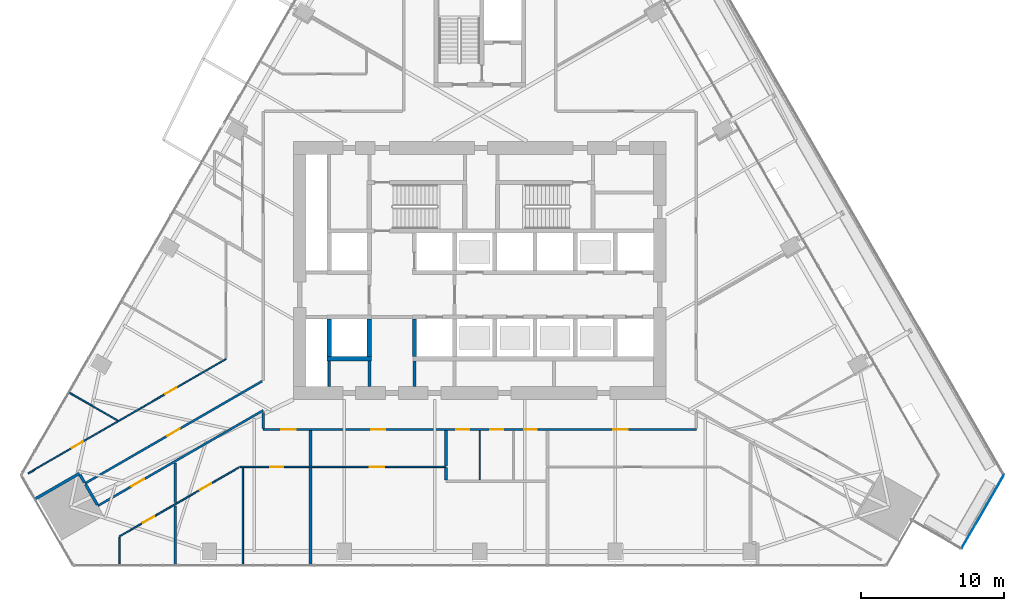
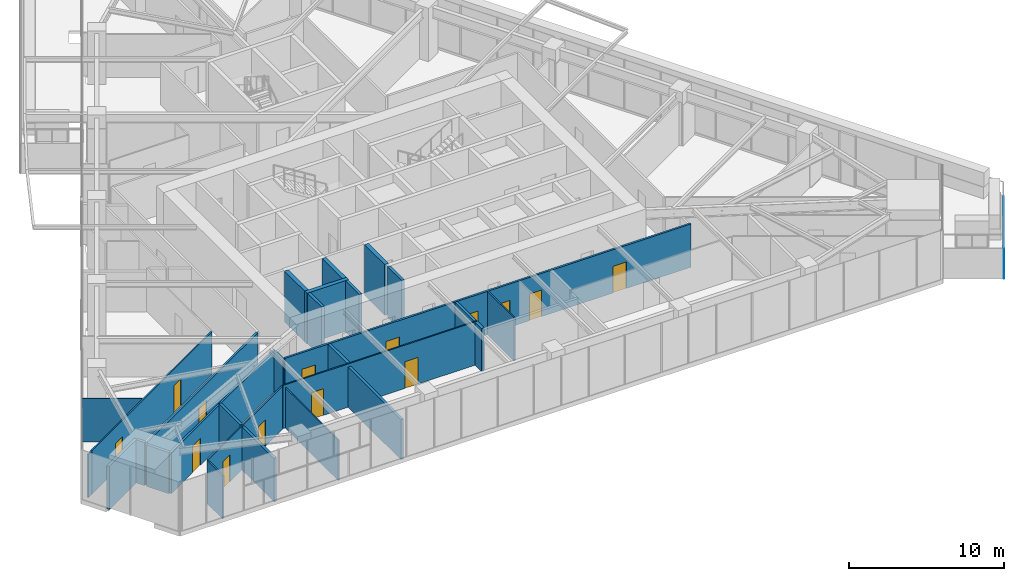
# One storey, part 20 of 29: 28 walls, 14 doors, 1 plate, 14 openings.
"""IFC4 building model written with IfcOpenShell, lengths in metres."""

from ifc_helpers import new_model, si_unit, direction, frame, frame_2d, origin, place, context, subcontext, project, spatial, polyline, rectangle, outline, extrude, material, layer, layer_set, type_object, element, fill, save


model = new_model("IFC4")

# Units and contexts
model_context = context("Model", 3, precision=1e-05, world=origin(), true_north=direction((0.0, 1.0)))
body_context = subcontext(model_context, "Body", "Model", "MODEL_VIEW")
ifc_project = project(units=[si_unit("LENGTHUNIT", "METRE"), si_unit("AREAUNIT", "SQUARE_METRE"), si_unit("VOLUMEUNIT", "CUBIC_METRE"), si_unit("PLANEANGLEUNIT", "RADIAN"), si_unit("MASSUNIT", "GRAM", prefix="KILO")], contexts=[model_context])

# Site, building, storey
site_placement = place(None, origin())
site = spatial("IfcSite", under=ifc_project, at=site_placement, CompositionType="ELEMENT")
building_placement = place(site_placement, origin())
building = spatial("IfcBuilding", under=site, at=building_placement, Name="Firuza Gate Tower and Library", CompositionType="ELEMENT")
storey_placement = place(building_placement, frame((0.0, 0.0, 82.0)))
storey = spatial("IfcBuildingStorey", under=building, at=storey_placement, Name="L18", CompositionType="ELEMENT", Elevation=82.0)

# Plate
ifc_material_1 = material(Name="Aluminium 6063-T6", Category="aluminium")
ifc_layer_1 = layer(ifc_material_1, 0.050048828125)
ifc_layer_set_1 = layer_set([ifc_layer_1], Name="Tray fascia panel 50")
plate_type = type_object("IfcPlateType", Name="Tray fascia panel 50", PredefinedType="SHEET", material=ifc_layer_set_1)
plate_placement = place(storey_placement, frame((108.631103515625, 55.617919921875, -2.39990234375), z_axis=(0.86603616409, -0.499981362141, 0.0), x_axis=(0.499981362141, 0.86603616409, 0.0)))
element("IfcPlate", 1, at=plate_placement, inside=storey, type_object=plate_type, Name="Tray fascia L18 1", PredefinedType="SHEET", context=body_context, shape_type="SweptSolid", body=[
    extrude(outline(polyline([(0.0, 0.0), (5.849827431513592, 0.0), (5.849827431513592, 2.39990234375), (0.0, 2.39990234375), (0.0, 0.0)])), origin(), (0.0, 0.0, -1.0), 0.050048828125),
])

# Walls
ifc_material_2 = material(Name="Plasterboard on steel studs", Category="steel")
ifc_layer_2 = layer(ifc_material_2, 0.199951171875)
ifc_layer_set_2 = layer_set([ifc_layer_2], Name="Core partition 200 EI 120")
wall_type_1 = type_object("IfcWallType", Name="Core partition 200 EI 120", PredefinedType="PARTITIONING", material=ifc_layer_set_2)
for number, where, z_axis, x_axis, name in (
    (2, (64.5, 66.89990234375, 0.0), (0.0, 0.0, 1.0), (0.0, 1.0, 0.0), "Core partition L18 5"),
    (3, (67.300048828125, 66.89990234375, 0.0), (0.0, 0.0, 1.0), (0.0, 1.0, 0.0), "Core partition L18 7"),
    (4, (70.449951171875, 66.89990234375, 0.0), (0.0, 0.0, 1.0), (0.0, 1.0, 0.0), "Core partition L18 10"),
):
    element("IfcWall", number, at=place(storey_placement, frame(where, z_axis=z_axis, x_axis=x_axis)), inside=storey, type_object=wall_type_1, Name=name, PredefinedType="PARTITIONING", context=body_context, shape_type="SweptSolid", body=[
        extrude(rectangle(XDim=1.800048828125, YDim=0.199951171875, at=frame_2d((0.89990234375, 0.0))), origin(), (0.0, 0.0, 1.0), 4.0),
    ])
ifc_material_3 = material(Name="Concrete C80/95", Category="concrete")
ifc_layer_3 = layer(ifc_material_3, 0.300048828125)
ifc_layer_set_3 = layer_set([ifc_layer_3], Name="Core wall 300 C80/95")
wall_type_2 = type_object("IfcWallType", Name="Core wall 300 C80/95", PredefinedType="SHEAR", material=ifc_layer_set_3)
wall_1_placement = place(storey_placement, frame((64.35009765625, 68.85009765625, 0.0), z_axis=(0.0, 0.0, 1.0), x_axis=(1.0, 0.0, 0.0)))
element("IfcWall", 5, at=wall_1_placement, inside=storey, type_object=wall_type_2, Name="Core wall L18 5", PredefinedType="SHEAR", context=body_context, shape_type="SweptSolid", body=[
    extrude(rectangle(XDim=3.099853515625, YDim=0.300048828125, at=frame_2d((1.5498046875, 0.0))), origin(), (0.0, 0.0, 1.0), 4.0),
])
for number, where, z_axis, x_axis, name in (
    (6, (64.5, 69.0, 0.0), (0.0, 0.0, 1.0), (0.0, 1.0, 0.0), "Core wall L18 11"),
    (7, (67.300048828125, 69.0, 0.0), (0.0, 0.0, 1.0), (0.0, 1.0, 0.0), "Core wall L18 13"),
    (8, (70.449951171875, 69.0, 0.0), (0.0, 0.0, 1.0), (0.0, 1.0, 0.0), "Core wall L18 15"),
):
    element("IfcWall", number, at=place(storey_placement, frame(where, z_axis=z_axis, x_axis=x_axis)), inside=storey, type_object=wall_type_2, Name=name, PredefinedType="SHEAR", context=body_context, shape_type="SweptSolid", body=[
        extrude(rectangle(XDim=2.60009765625, YDim=0.300048828125, at=frame_2d((1.300048828125, 0.0))), origin(), (0.0, 0.0, 1.0), 4.0),
    ])

# Wall, openings, doors
ifc_material_4 = material(Name="Gypsum board partition")
ifc_layer_4 = layer(ifc_material_4, 0.14990234375)
ifc_layer_set_4 = layer_set([ifc_layer_4], Name="Corridor wall 150 double board on steel studs")
wall_type_3 = type_object("IfcWallType", Name="Corridor wall 150 double board on steel studs", PredefinedType="PARTITIONING", material=ifc_layer_set_4)
wall_2_placement = place(storey_placement, frame((90.10009765625, 63.89990234375, 0.0), z_axis=(0.0, 0.0, 1.0), x_axis=(-1.0, 0.0, 0.0)))
wall_2 = element("IfcWall", 9, at=wall_2_placement, inside=storey, type_object=wall_type_3, Name="f:L18:w004", PredefinedType="PARTITIONING", context=body_context, shape_type="SweptSolid", body=[
    extrude(rectangle(XDim=30.2001953125, YDim=0.14990234375, at=frame_2d((15.10009765625, 0.0))), origin(), (0.0, 0.0, 1.0), 3.39990234375),
])
opening_1_placement = place(wall_2_placement, frame((4.79248046875, 0.0, 0.0)))
opening_1 = element("IfcOpeningElement", 10, at=opening_1_placement, cuts=wall_2, Name="Opening L18-04", PredefinedType="OPENING", context=body_context, shape_type="SweptSolid", body=[
    extrude(rectangle(XDim=1.0, YDim=2.10009765625, at=frame_2d((0.5, 1.050048828125))), frame((0.0, 0.0849609375, 0.0), z_axis=(0.0, -1.0, 0.0), x_axis=(1.0, 0.0, 0.0)), (0.0, 0.0, 1.0), 0.169921875),
])
opening_2_placement = place(wall_2_placement, frame((11.111328125, 0.0, 0.0)))
opening_2 = element("IfcOpeningElement", 11, at=opening_2_placement, cuts=wall_2, Name="Opening L18-05", PredefinedType="OPENING", context=body_context, shape_type="SweptSolid", body=[
    extrude(rectangle(XDim=0.89990234375, YDim=2.10009765625, at=frame_2d((0.449951171875, 1.050048828125))), frame((0.0, 0.0849609375, 0.0), z_axis=(0.0, -1.0, 0.0), x_axis=(1.0, 0.0, 0.0)), (0.0, 0.0, 1.0), 0.169921875),
])
opening_3_placement = place(wall_2_placement, frame((13.470458984375, 0.0, 0.0)))
opening_3 = element("IfcOpeningElement", 12, at=opening_3_placement, cuts=wall_2, Name="Opening L18-06", PredefinedType="OPENING", context=body_context, shape_type="SweptSolid", body=[
    extrude(rectangle(XDim=0.89990234375, YDim=2.10009765625, at=frame_2d((0.449951171875, 1.050048828125))), frame((0.0, 0.0849609375, 0.0), z_axis=(0.0, -1.0, 0.0), x_axis=(1.0, 0.0, 0.0)), (0.0, 0.0, 1.0), 0.169921875),
])
opening_4_placement = place(wall_2_placement, frame((15.82958984375, 0.0, 0.0)))
opening_4 = element("IfcOpeningElement", 13, at=opening_4_placement, cuts=wall_2, Name="Opening L18-07", PredefinedType="OPENING", context=body_context, shape_type="SweptSolid", body=[
    extrude(rectangle(XDim=0.89990234375, YDim=2.10009765625, at=frame_2d((0.449951171875, 1.050048828125))), frame((0.0, 0.0849609375, 0.0), z_axis=(0.0, -1.0, 0.0), x_axis=(1.0, 0.0, 0.0)), (0.0, 0.0, 1.0), 0.169921875),
])
opening_5_placement = place(wall_2_placement, frame((21.677001953125, 0.0, 0.0)))
opening_5 = element("IfcOpeningElement", 14, at=opening_5_placement, cuts=wall_2, Name="Opening L18-08", PredefinedType="OPENING", context=body_context, shape_type="SweptSolid", body=[
    extrude(rectangle(XDim=1.0, YDim=2.10009765625, at=frame_2d((0.5, 1.050048828125))), frame((0.0, 0.0849609375, 0.0), z_axis=(0.0, -1.0, 0.0), x_axis=(1.0, 0.0, 0.0)), (0.0, 0.0, 1.0), 0.169921875),
])
opening_6_placement = place(wall_2_placement, frame((27.946044921875, 0.0, 0.0)))
opening_6 = element("IfcOpeningElement", 15, at=opening_6_placement, cuts=wall_2, Name="Opening L18-09", PredefinedType="OPENING", context=body_context, shape_type="SweptSolid", body=[
    extrude(rectangle(XDim=1.0, YDim=2.10009765625, at=frame_2d((0.5, 1.050048828125))), frame((0.0, 0.0849609375, 0.0), z_axis=(0.0, -1.0, 0.0), x_axis=(1.0, 0.0, 0.0)), (0.0, 0.0, 1.0), 0.169921875),
])
ifc_material_5 = material(Name="Steel door and timber leaf", Category="steel")
door_type_1 = type_object("IfcDoorType", Name="Fire door 1000 x 2100 steel frame, timber leaf", OperationType="NOTDEFINED", PredefinedType="DOOR", material=ifc_material_5)
door_1_placement = place(opening_1_placement, origin())
door_1 = element("IfcDoor", 16, at=door_1_placement, inside=storey, type_object=door_type_1, Name="f:L18:d004", OperationType="SINGLE_SWING_LEFT", OverallHeight=2.10009765625, OverallWidth=1.0, PredefinedType="DOOR", context=body_context, shape_type="SweptSolid", body=[
    extrude(rectangle(XDim=1.0, YDim=2.10009765625, at=frame_2d((0.5, 1.050048828125))), frame((0.0, 0.02490234375, 0.0), z_axis=(0.0, -1.0, 0.0), x_axis=(1.0, 0.0, 0.0)), (0.0, 0.0, 1.0), 0.050048828125),
])
fill(opening_1, door_1)
door_2_placement = place(opening_5_placement, origin())
door_2 = element("IfcDoor", 17, at=door_2_placement, inside=storey, type_object=door_type_1, Name="f:L18:d008", OperationType="SINGLE_SWING_RIGHT", OverallHeight=2.10009765625, OverallWidth=1.0, PredefinedType="DOOR", context=body_context, shape_type="SweptSolid", body=[
    extrude(rectangle(XDim=1.0, YDim=2.10009765625, at=frame_2d((0.5, 1.050048828125))), frame((0.0, 0.02490234375, 0.0), z_axis=(0.0, -1.0, 0.0), x_axis=(1.0, 0.0, 0.0)), (0.0, 0.0, 1.0), 0.050048828125),
])
fill(opening_5, door_2)
door_3_placement = place(opening_6_placement, origin())
door_3 = element("IfcDoor", 18, at=door_3_placement, inside=storey, type_object=door_type_1, Name="f:L18:d009", OperationType="SINGLE_SWING_RIGHT", OverallHeight=2.10009765625, OverallWidth=1.0, PredefinedType="DOOR", context=body_context, shape_type="SweptSolid", body=[
    extrude(rectangle(XDim=1.0, YDim=2.10009765625, at=frame_2d((0.5, 1.050048828125))), frame((0.0, 0.02490234375, 0.0), z_axis=(0.0, -1.0, 0.0), x_axis=(1.0, 0.0, 0.0)), (0.0, 0.0, 1.0), 0.050048828125),
])
fill(opening_6, door_3)
ifc_material_6 = material(Name="Steel door and timber leaf", Category="steel")
door_type_2 = type_object("IfcDoorType", Name="Fire door 900 x 2100 steel frame, timber leaf", OperationType="NOTDEFINED", PredefinedType="DOOR", material=ifc_material_6)
door_4_placement = place(opening_2_placement, origin())
door_4 = element("IfcDoor", 19, at=door_4_placement, inside=storey, type_object=door_type_2, Name="f:L18:d005", OperationType="SINGLE_SWING_LEFT", OverallHeight=2.10009765625, OverallWidth=0.89990234375, PredefinedType="DOOR", context=body_context, shape_type="SweptSolid", body=[
    extrude(rectangle(XDim=0.89990234375, YDim=2.10009765625, at=frame_2d((0.449951171875, 1.050048828125))), frame((0.0, 0.02490234375, 0.0), z_axis=(0.0, -1.0, 0.0), x_axis=(1.0, 0.0, 0.0)), (0.0, 0.0, 1.0), 0.050048828125),
])
fill(opening_2, door_4)
door_5_placement = place(opening_3_placement, origin())
door_5 = element("IfcDoor", 20, at=door_5_placement, inside=storey, type_object=door_type_2, Name="f:L18:d006", OperationType="SINGLE_SWING_RIGHT", OverallHeight=2.10009765625, OverallWidth=0.89990234375, PredefinedType="DOOR", context=body_context, shape_type="SweptSolid", body=[
    extrude(rectangle(XDim=0.89990234375, YDim=2.10009765625, at=frame_2d((0.449951171875, 1.050048828125))), frame((0.0, 0.02490234375, 0.0), z_axis=(0.0, -1.0, 0.0), x_axis=(1.0, 0.0, 0.0)), (0.0, 0.0, 1.0), 0.050048828125),
])
fill(opening_3, door_5)
door_6_placement = place(opening_4_placement, origin())
door_6 = element("IfcDoor", 21, at=door_6_placement, inside=storey, type_object=door_type_2, Name="f:L18:d007", OperationType="SINGLE_SWING_LEFT", OverallHeight=2.10009765625, OverallWidth=0.89990234375, PredefinedType="DOOR", context=body_context, shape_type="SweptSolid", body=[
    extrude(rectangle(XDim=0.89990234375, YDim=2.10009765625, at=frame_2d((0.449951171875, 1.050048828125))), frame((0.0, 0.02490234375, 0.0), z_axis=(0.0, -1.0, 0.0), x_axis=(1.0, 0.0, 0.0)), (0.0, 0.0, 1.0), 0.050048828125),
])
fill(opening_4, door_6)

# Wall, opening, door
wall_3_placement = place(storey_placement, frame((59.89990234375, 65.242919921875, 0.0), z_axis=(0.0, 0.0, 1.0), x_axis=(-0.866025527764, -0.499999785261, 0.0)))
wall_3 = element("IfcWall", 22, at=wall_3_placement, inside=storey, type_object=wall_type_3, Name="f:L18:w016", PredefinedType="PARTITIONING", context=body_context, shape_type="SweptSolid", body=[
    extrude(rectangle(XDim=13.31005859375, YDim=0.14990234375, at=frame_2d((6.655029296875, 0.0))), origin(), (0.0, 0.0, 1.0), 3.2470703125),
])
opening_7_placement = place(wall_3_placement, frame((9.593505859375, 0.0, 0.0)))
opening_7 = element("IfcOpeningElement", 23, at=opening_7_placement, cuts=wall_3, Name="Opening L18-17", PredefinedType="OPENING", context=body_context, shape_type="SweptSolid", body=[
    extrude(rectangle(XDim=1.0, YDim=2.10009765625, at=frame_2d((0.5, 1.050048828125))), frame((0.0, 0.0849609375, 0.0), z_axis=(0.0, -1.0, 0.0), x_axis=(1.0, 0.0, 0.0)), (0.0, 0.0, 1.0), 0.169921875),
])
door_7_placement = place(opening_7_placement, origin())
door_7 = element("IfcDoor", 24, at=door_7_placement, inside=storey, type_object=door_type_1, Name="f:L18:d017", OperationType="SINGLE_SWING_RIGHT", OverallHeight=2.10009765625, OverallWidth=1.0, PredefinedType="DOOR", context=body_context, shape_type="SweptSolid", body=[
    extrude(rectangle(XDim=1.0, YDim=2.10009765625, at=frame_2d((0.5, 1.050048828125))), frame((0.0, 0.02490234375, 0.0), z_axis=(0.0, -1.0, 0.0), x_axis=(1.0, 0.0, 0.0)), (0.0, 0.0, 1.0), 0.050048828125),
])
fill(opening_7, door_7)

wall_4_placement = place(storey_placement, frame((47.47265625, 60.146484375, 0.0), z_axis=(0.0, 0.0, 1.0), x_axis=(0.866025677055, 0.499999526681, 0.0)))
wall_4 = element("IfcWall", 25, at=wall_4_placement, inside=storey, type_object=wall_type_3, Name="f:L18:w019", PredefinedType="PARTITIONING", context=body_context, shape_type="SweptSolid", body=[
    extrude(rectangle(XDim=14.26318359375, YDim=0.14990234375, at=frame_2d((7.131591796875, 0.0))), origin(), (0.0, 0.0, 1.0), 3.39990234375),
])
opening_8_placement = place(wall_4_placement, frame((6.631591796875, 0.0, 0.0)))
opening_8 = element("IfcOpeningElement", 26, at=opening_8_placement, cuts=wall_4, Name="Opening L18-18", PredefinedType="OPENING", context=body_context, shape_type="SweptSolid", body=[
    extrude(rectangle(XDim=1.0, YDim=2.10009765625, at=frame_2d((0.5, 1.050048828125))), frame((0.0, 0.0849609375, 0.0), z_axis=(0.0, -1.0, 0.0), x_axis=(1.0, 0.0, 0.0)), (0.0, 0.0, 1.0), 0.169921875),
])
door_8_placement = place(opening_8_placement, origin())
door_8 = element("IfcDoor", 27, at=door_8_placement, inside=storey, type_object=door_type_1, Name="f:L18:d018", OperationType="SINGLE_SWING_LEFT", OverallHeight=2.10009765625, OverallWidth=1.0, PredefinedType="DOOR", context=body_context, shape_type="SweptSolid", body=[
    extrude(rectangle(XDim=1.0, YDim=2.10009765625, at=frame_2d((0.5, 1.050048828125))), frame((0.0, 0.02490234375, 0.0), z_axis=(0.0, -1.0, 0.0), x_axis=(1.0, 0.0, 0.0)), (0.0, 0.0, 1.0), 0.050048828125),
])
fill(opening_8, door_8)

# Walls
wall_5_placement = place(storey_placement, frame((59.89990234375, 63.97509765625, 0.0), z_axis=(0.0, 0.0, 1.0), x_axis=(0.0, 1.0, 0.0)))
element("IfcWall", 28, at=wall_5_placement, inside=storey, type_object=wall_type_3, Name="f:L18:w046", PredefinedType="PARTITIONING", context=body_context, shape_type="SweptSolid", body=[
    extrude(rectangle(XDim=1.131103515625, YDim=0.14990234375, at=frame_2d((0.5654296875, 0.0))), origin(), (0.0, 0.0, 1.0), 3.2470703125),
])
ifc_material_7 = material(Name="Gypsum board partition")
ifc_layer_5 = layer(ifc_material_7, 0.199951171875)
ifc_layer_set_5 = layer_set([ifc_layer_5], Name="Demising wall 200 acoustic double stud")
wall_type_4 = type_object("IfcWallType", Name="Demising wall 200 acoustic double stud", PredefinedType="PARTITIONING", material=ifc_layer_set_5)
wall_6_placement = place(storey_placement, frame((43.989990234375, 59.058349609375, 0.0), z_axis=(0.0, 0.0, 1.0), x_axis=(0.866031398331, 0.499989616998, 0.0)))
element("IfcWall", 29, at=wall_6_placement, inside=storey, type_object=wall_type_4, Name="f:L18:w020", PredefinedType="PARTITIONING", context=body_context, shape_type="SweptSolid", body=[
    extrude(rectangle(XDim=3.5595703125, YDim=0.199951171875, at=frame_2d((1.77978515625, 0.0))), origin(), (0.0, 0.0, 1.0), 3.39990234375),
])
wall_7_placement = place(storey_placement, frame((72.64111328125, 60.39990234375, 0.0), z_axis=(0.0, 0.0, 1.0), x_axis=(0.0, 1.0, 0.0)))
element("IfcWall", 30, at=wall_7_placement, inside=storey, type_object=wall_type_4, Name="f:L18:w042", PredefinedType="PARTITIONING", context=body_context, shape_type="SweptSolid", body=[
    extrude(rectangle(XDim=0.85009765625, YDim=0.199951171875, at=frame_2d((0.425048828125, 0.0))), origin(), (0.0, 0.0, 1.0), 3.39990234375),
])
wall_8_placement = place(storey_placement, frame((63.205078125, 54.439208984375, 0.0), z_axis=(0.0, 0.0, 1.0), x_axis=(0.0, 1.0, 0.0)))
element("IfcWall", 31, at=wall_8_placement, inside=storey, type_object=wall_type_4, Name="f:L18:w045", PredefinedType="PARTITIONING", context=body_context, shape_type="SweptSolid", body=[
    extrude(rectangle(XDim=6.810791015625, YDim=0.199951171875, at=frame_2d((3.4052734375, 0.0))), origin(), (0.0, 0.0, 1.0), 3.1650390625),
])
wall_9_placement = place(storey_placement, frame((53.76904296875, 54.439208984375, 0.0), z_axis=(0.0, 0.0, 1.0), x_axis=(0.0, 1.0, 0.0)))
element("IfcWall", 32, at=wall_9_placement, inside=storey, type_object=wall_type_4, Name="f:L18:w052", PredefinedType="PARTITIONING", context=body_context, shape_type="SweptSolid", body=[
    extrude(rectangle(XDim=4.146240234375, YDim=0.199951171875, at=frame_2d((2.0732421875, 0.0))), origin(), (0.0, 0.0, 1.0), 3.39990234375),
])
wall_10_placement = place(storey_placement, frame((48.335205078125, 58.653076171875, 0.0), z_axis=(0.0, 0.0, 1.0), x_axis=(-0.499991515992, 0.866030301974, 0.0)))
element("IfcWall", 33, at=wall_10_placement, inside=storey, type_object=wall_type_4, Name="f:L18:w057", PredefinedType="PARTITIONING", context=body_context, shape_type="SweptSolid", body=[
    extrude(rectangle(XDim=1.6494140625, YDim=0.199951171875, at=frame_2d((0.82470703125, 0.0))), origin(), (0.0, 0.0, 1.0), 3.2470703125),
])
wall_11_placement = place(storey_placement, frame((72.64111328125, 61.35009765625, 0.0), z_axis=(0.0, 0.0, 1.0), x_axis=(0.0, 1.0, 0.0)))
element("IfcWall", 34, at=wall_11_placement, inside=storey, type_object=wall_type_4, Name="f:L18:w075", PredefinedType="PARTITIONING", context=body_context, shape_type="SweptSolid", body=[
    extrude(rectangle(XDim=2.474853515625, YDim=0.199951171875, at=frame_2d((1.2373046875, 0.0))), origin(), (0.0, 0.0, 1.0), 3.39990234375),
])
wall_12_placement = place(storey_placement, frame((53.76904296875, 58.81640625, 0.0), z_axis=(0.0, 0.0, 1.0), x_axis=(0.0, 1.0, 0.0)))
element("IfcWall", 35, at=wall_12_placement, inside=storey, type_object=wall_type_4, Name="f:L18:w078", PredefinedType="PARTITIONING", context=body_context, shape_type="SweptSolid", body=[
    extrude(rectangle(XDim=2.73974609375, YDim=0.199951171875, at=frame_2d((1.369873046875, 0.0))), origin(), (0.0, 0.0, 1.0), 3.39990234375),
])
wall_13_placement = place(storey_placement, frame((47.435302734375, 60.21142578125, 0.0), z_axis=(0.0, 0.0, 1.0), x_axis=(-0.499801510763, 0.866139971275, 0.0)))
element("IfcWall", 36, at=wall_13_placement, inside=storey, type_object=wall_type_4, Name="f:L18:w079", PredefinedType="PARTITIONING", context=body_context, shape_type="SweptSolid", body=[
    extrude(rectangle(XDim=0.623779296875, YDim=0.199951171875, at=frame_2d((0.31201171875, 0.0))), origin(), (0.0, 0.0, 1.0), 3.39990234375),
])
wall_14_placement = place(storey_placement, frame((63.205078125, 61.35009765625, 0.0), z_axis=(0.0, 0.0, 1.0), x_axis=(0.0, 1.0, 0.0)))
element("IfcWall", 37, at=wall_14_placement, inside=storey, type_object=wall_type_4, Name="f:L18:w084", PredefinedType="PARTITIONING", context=body_context, shape_type="SweptSolid", body=[
    extrude(rectangle(XDim=2.474853515625, YDim=0.199951171875, at=frame_2d((1.2373046875, 0.0))), origin(), (0.0, 0.0, 1.0), 3.39990234375),
])

# Wall, openings, doors
ifc_material_8 = material(Name="Gypsum board partition")
ifc_layer_6 = layer(ifc_material_8, 0.10009765625)
ifc_layer_set_6 = layer_set([ifc_layer_6], Name="Partition 100 gypsum board on steel studs")
wall_type_5 = type_object("IfcWallType", Name="Partition 100 gypsum board on steel studs", PredefinedType="PARTITIONING", material=ifc_layer_set_6)
wall_15_placement = place(storey_placement, frame((58.27099609375, 61.300048828125, 0.0), z_axis=(0.0, 0.0, 1.0), x_axis=(1.0, 0.0, 0.0)))
wall_15 = element("IfcWall", 38, at=wall_15_placement, inside=storey, type_object=wall_type_5, Name="f:L18:w002", PredefinedType="PARTITIONING", context=body_context, shape_type="SweptSolid", body=[
    extrude(rectangle(XDim=14.369873046875, YDim=0.10009765625, at=frame_2d((7.18505859375, 0.0))), origin(), (0.0, 0.0, 1.0), 3.39990234375),
])
opening_9_placement = place(wall_15_placement, frame((2.123291015625, 0.0, 0.0)))
opening_9 = element("IfcOpeningElement", 39, at=opening_9_placement, cuts=wall_15, Name="Opening L18-01", PredefinedType="OPENING", context=body_context, shape_type="SweptSolid", body=[
    extrude(rectangle(XDim=0.89990234375, YDim=2.10009765625, at=frame_2d((0.449951171875, 1.050048828125))), frame((0.0, 0.06005859375, 0.0), z_axis=(0.0, -1.0, 0.0), x_axis=(1.0, 0.0, 0.0)), (0.0, 0.0, 1.0), 0.1201171875),
])
opening_10_placement = place(wall_15_placement, frame((9.052001953125, 0.0, 0.0)))
opening_10 = element("IfcOpeningElement", 40, at=opening_10_placement, cuts=wall_15, Name="Opening L18-02", PredefinedType="OPENING", context=body_context, shape_type="SweptSolid", body=[
    extrude(rectangle(XDim=1.0, YDim=2.10009765625, at=frame_2d((0.5, 1.050048828125))), frame((0.0, 0.06005859375, 0.0), z_axis=(0.0, -1.0, 0.0), x_axis=(1.0, 0.0, 0.0)), (0.0, 0.0, 1.0), 0.1201171875),
])
ifc_material_9 = material(Name="Timber door", Category="wood")
door_type_3 = type_object("IfcDoorType", Name="Door 1000 x 2100 timber leaf", OperationType="NOTDEFINED", PredefinedType="DOOR", material=ifc_material_9)
door_9_placement = place(opening_10_placement, origin())
door_9 = element("IfcDoor", 41, at=door_9_placement, inside=storey, type_object=door_type_3, Name="f:L18:d002", OperationType="SINGLE_SWING_RIGHT", OverallHeight=2.10009765625, OverallWidth=1.0, PredefinedType="DOOR", context=body_context, shape_type="SweptSolid", body=[
    extrude(rectangle(XDim=1.0, YDim=2.10009765625, at=frame_2d((0.5, 1.050048828125))), frame((0.0, 0.02490234375, 0.0), z_axis=(0.0, -1.0, 0.0), x_axis=(1.0, 0.0, 0.0)), (0.0, 0.0, 1.0), 0.050048828125),
])
fill(opening_10, door_9)
ifc_material_10 = material(Name="Timber door", Category="wood")
door_type_4 = type_object("IfcDoorType", Name="Door 900 x 2100 timber leaf", OperationType="NOTDEFINED", PredefinedType="DOOR", material=ifc_material_10)
door_10_placement = place(opening_9_placement, origin())
door_10 = element("IfcDoor", 42, at=door_10_placement, inside=storey, type_object=door_type_4, Name="f:L18:d001", OperationType="SINGLE_SWING_LEFT", OverallHeight=2.10009765625, OverallWidth=0.89990234375, PredefinedType="DOOR", context=body_context, shape_type="SweptSolid", body=[
    extrude(rectangle(XDim=0.89990234375, YDim=2.10009765625, at=frame_2d((0.449951171875, 1.050048828125))), frame((0.0, 0.02490234375, 0.0), z_axis=(0.0, -1.0, 0.0), x_axis=(1.0, 0.0, 0.0)), (0.0, 0.0, 1.0), 0.050048828125),
])
fill(opening_9, door_10)

wall_16_placement = place(storey_placement, frame((49.885009765625, 56.45849609375, 0.0), z_axis=(0.0, 0.0, 1.0), x_axis=(0.866030313286, 0.499991496398, 0.0)))
wall_16 = element("IfcWall", 43, at=wall_16_placement, inside=storey, type_object=wall_type_5, Name="f:L18:w015", PredefinedType="PARTITIONING", context=body_context, shape_type="SweptSolid", body=[
    extrude(rectangle(XDim=9.583251953125, YDim=0.10009765625, at=frame_2d((4.79150390625, 0.0))), origin(), (0.0, 0.0, 1.0), 3.39990234375),
])
opening_11_placement = place(wall_16_placement, frame((1.89208984375, 0.0, 0.0)))
opening_11 = element("IfcOpeningElement", 44, at=opening_11_placement, cuts=wall_16, Name="Opening L18-15", PredefinedType="OPENING", context=body_context, shape_type="SweptSolid", body=[
    extrude(rectangle(XDim=0.89990234375, YDim=2.10009765625, at=frame_2d((0.449951171875, 1.050048828125))), frame((0.0, 0.06005859375, 0.0), z_axis=(0.0, -1.0, 0.0), x_axis=(1.0, 0.0, 0.0)), (0.0, 0.0, 1.0), 0.1201171875),
])
opening_12_placement = place(wall_16_placement, frame((6.48388671875, 0.0, 0.0)))
opening_12 = element("IfcOpeningElement", 45, at=opening_12_placement, cuts=wall_16, Name="Opening L18-16", PredefinedType="OPENING", context=body_context, shape_type="SweptSolid", body=[
    extrude(rectangle(XDim=0.89990234375, YDim=2.10009765625, at=frame_2d((0.449951171875, 1.050048828125))), frame((0.0, 0.06005859375, 0.0), z_axis=(0.0, -1.0, 0.0), x_axis=(1.0, 0.0, 0.0)), (0.0, 0.0, 1.0), 0.1201171875),
])
door_11_placement = place(opening_11_placement, origin())
door_11 = element("IfcDoor", 46, at=door_11_placement, inside=storey, type_object=door_type_4, Name="f:L18:d015", OperationType="SINGLE_SWING_RIGHT", OverallHeight=2.10009765625, OverallWidth=0.89990234375, PredefinedType="DOOR", context=body_context, shape_type="SweptSolid", body=[
    extrude(rectangle(XDim=0.89990234375, YDim=2.10009765625, at=frame_2d((0.449951171875, 1.050048828125))), frame((0.0, 0.02490234375, 0.0), z_axis=(0.0, -1.0, 0.0), x_axis=(1.0, 0.0, 0.0)), (0.0, 0.0, 1.0), 0.050048828125),
])
fill(opening_11, door_11)
door_12_placement = place(opening_12_placement, origin())
door_12 = element("IfcDoor", 47, at=door_12_placement, inside=storey, type_object=door_type_4, Name="f:L18:d016", OperationType="SINGLE_SWING_RIGHT", OverallHeight=2.10009765625, OverallWidth=0.89990234375, PredefinedType="DOOR", context=body_context, shape_type="SweptSolid", body=[
    extrude(rectangle(XDim=0.89990234375, YDim=2.10009765625, at=frame_2d((0.449951171875, 1.050048828125))), frame((0.0, 0.02490234375, 0.0), z_axis=(0.0, -1.0, 0.0), x_axis=(1.0, 0.0, 0.0)), (0.0, 0.0, 1.0), 0.050048828125),
])
fill(opening_12, door_12)

# Wall
wall_17_placement = place(storey_placement, frame((43.520751953125, 60.844970703125, 0.0), z_axis=(0.0, 0.0, 1.0), x_axis=(0.865979310119, 0.500079828073, 0.0)))
element("IfcWall", 48, at=wall_17_placement, inside=storey, type_object=wall_type_5, Name="f:L18:w021", PredefinedType="PARTITIONING", context=body_context, shape_type="SweptSolid", body=[
    extrude(rectangle(XDim=0.47314453125, YDim=0.10009765625, at=frame_2d((0.236572265625, 0.0))), origin(), (0.0, 0.0, 1.0), 3.39990234375),
])

# Wall, openings, doors
wall_18_placement = place(storey_placement, frame((57.300048828125, 68.822509765625, 0.0), z_axis=(0.0, 0.0, 1.0), x_axis=(-0.866026891502, -0.499997423189, 0.0)))
wall_18 = element("IfcWall", 49, at=wall_18_placement, inside=storey, type_object=wall_type_5, Name="f:L18:w022", PredefinedType="PARTITIONING", context=body_context, shape_type="SweptSolid", body=[
    extrude(rectangle(XDim=15.4482421875, YDim=0.10009765625, at=frame_2d((7.72412109375, 0.0))), origin(), (0.0, 0.0, 1.0), 3.39990234375),
])
opening_13_placement = place(wall_18_placement, frame((3.981689453125, 0.0, 0.0)))
opening_13 = element("IfcOpeningElement", 50, at=opening_13_placement, cuts=wall_18, Name="Opening L18-19", PredefinedType="OPENING", context=body_context, shape_type="SweptSolid", body=[
    extrude(rectangle(XDim=0.89990234375, YDim=2.10009765625, at=frame_2d((0.449951171875, 1.050048828125))), frame((0.0, 0.06005859375, 0.0), z_axis=(0.0, -1.0, 0.0), x_axis=(1.0, 0.0, 0.0)), (0.0, 0.0, 1.0), 0.1201171875),
])
opening_14_placement = place(wall_18_placement, frame((11.497802734375, 0.0, 0.0)))
opening_14 = element("IfcOpeningElement", 51, at=opening_14_placement, cuts=wall_18, Name="Opening L18-20", PredefinedType="OPENING", context=body_context, shape_type="SweptSolid", body=[
    extrude(rectangle(XDim=0.89990234375, YDim=2.10009765625, at=frame_2d((0.449951171875, 1.050048828125))), frame((0.0, 0.06005859375, 0.0), z_axis=(0.0, -1.0, 0.0), x_axis=(1.0, 0.0, 0.0)), (0.0, 0.0, 1.0), 0.1201171875),
])
door_13_placement = place(opening_13_placement, origin())
door_13 = element("IfcDoor", 52, at=door_13_placement, inside=storey, type_object=door_type_4, Name="f:L18:d019", OperationType="SINGLE_SWING_RIGHT", OverallHeight=2.10009765625, OverallWidth=0.89990234375, PredefinedType="DOOR", context=body_context, shape_type="SweptSolid", body=[
    extrude(rectangle(XDim=0.89990234375, YDim=2.10009765625, at=frame_2d((0.449951171875, 1.050048828125))), frame((0.0, 0.02490234375, 0.0), z_axis=(0.0, -1.0, 0.0), x_axis=(1.0, 0.0, 0.0)), (0.0, 0.0, 1.0), 0.050048828125),
])
fill(opening_13, door_13)
door_14_placement = place(opening_14_placement, origin())
door_14 = element("IfcDoor", 53, at=door_14_placement, inside=storey, type_object=door_type_4, Name="f:L18:d020", OperationType="SINGLE_SWING_LEFT", OverallHeight=2.10009765625, OverallWidth=0.89990234375, PredefinedType="DOOR", context=body_context, shape_type="SweptSolid", body=[
    extrude(rectangle(XDim=0.89990234375, YDim=2.10009765625, at=frame_2d((0.449951171875, 1.050048828125))), frame((0.0, 0.02490234375, 0.0), z_axis=(0.0, -1.0, 0.0), x_axis=(1.0, 0.0, 0.0)), (0.0, 0.0, 1.0), 0.050048828125),
])
fill(opening_14, door_14)

# Walls
wall_19_placement = place(storey_placement, frame((75.0, 60.39990234375, 0.0), z_axis=(0.0, 0.0, 1.0), x_axis=(0.0, 1.0, 0.0)))
element("IfcWall", 54, at=wall_19_placement, inside=storey, type_object=wall_type_5, Name="f:L18:w040", PredefinedType="PARTITIONING", context=body_context, shape_type="SweptSolid", body=[
    extrude(rectangle(XDim=3.425048828125, YDim=0.10009765625, at=frame_2d((1.71240234375, 0.0))), origin(), (0.0, 0.0, 1.0), 3.39990234375),
])
wall_20_placement = place(storey_placement, frame((58.487060546875, 54.439208984375, 0.0), z_axis=(0.0, 0.0, 1.0), x_axis=(0.0, 1.0, 0.0)))
element("IfcWall", 55, at=wall_20_placement, inside=storey, type_object=wall_type_5, Name="f:L18:w048", PredefinedType="PARTITIONING", context=body_context, shape_type="SweptSolid", body=[
    extrude(rectangle(XDim=6.810791015625, YDim=0.10009765625, at=frame_2d((3.4052734375, 0.0))), origin(), (0.0, 0.0, 1.0), 3.1650390625),
])
wall_21_placement = place(storey_placement, frame((49.885009765625, 54.439208984375, 0.0), z_axis=(0.0, 0.0, 1.0), x_axis=(0.0, 1.0, 0.0)))
element("IfcWall", 56, at=wall_21_placement, inside=storey, type_object=wall_type_5, Name="f:L18:w053", PredefinedType="PARTITIONING", context=body_context, shape_type="SweptSolid", body=[
    extrude(rectangle(XDim=1.96142578125, YDim=0.10009765625, at=frame_2d((0.980712890625, 0.0))), origin(), (0.0, 0.0, 1.0), 3.39990234375),
])
wall_22_placement = place(storey_placement, frame((49.732421875, 64.54052734375, 0.0), z_axis=(0.0, 0.0, 1.0), x_axis=(-0.866020177134, 0.500009052715, 0.0)))
element("IfcWall", 57, at=wall_22_placement, inside=storey, type_object=wall_type_5, Name="f:L18:w074", PredefinedType="PARTITIONING", context=body_context, shape_type="SweptSolid", body=[
    extrude(rectangle(XDim=3.908203125, YDim=0.10009765625, at=frame_2d((1.9541015625, 0.0))), origin(), (0.0, 0.0, 1.0), 3.39990234375),
])

save(model, "model.ifc")
